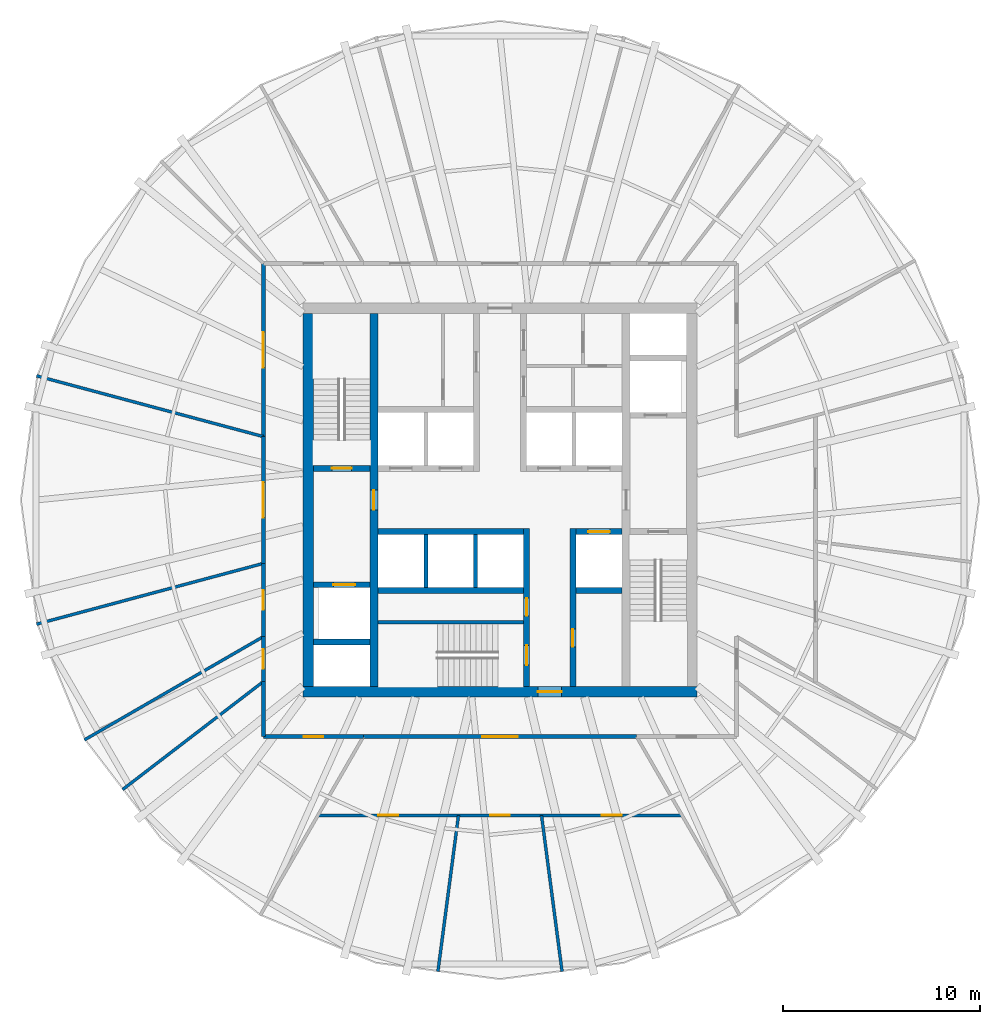
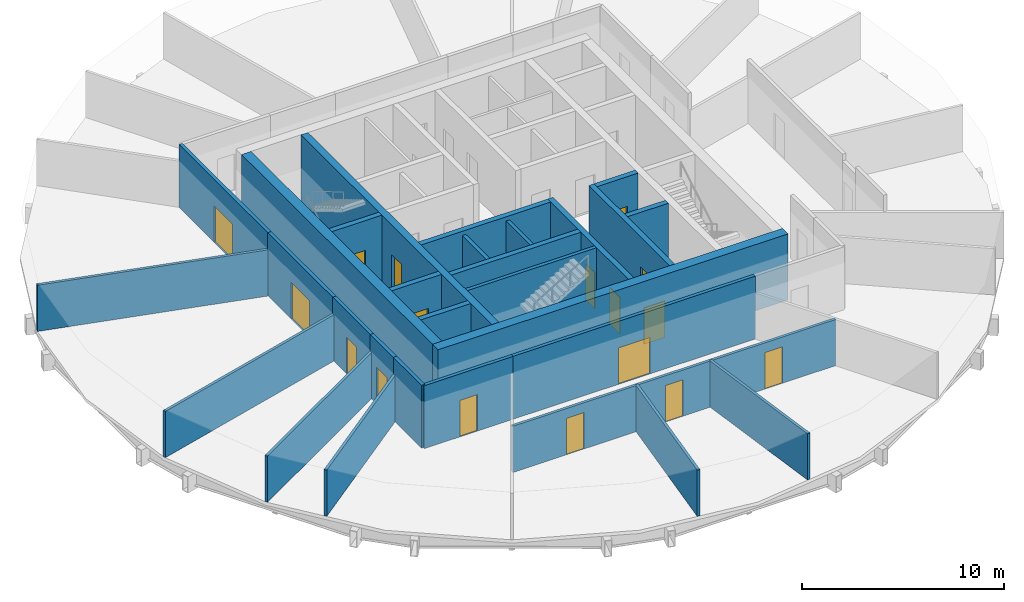
# One storey, part 3 of 6: 29 walls, 17 doors, 17 openings.
"""IFC4 building model written with IfcOpenShell, lengths in metres."""

import ifcopenshell
import ifcopenshell.guid

model = None  # the IFC model being written
_history = None  # IfcOwnerHistory: only IFC2X3 demands one
_inside = {}  # id of a spatial element -> (the spatial element, [elements in it])
_under = {}  # id of a project, library or spatial element -> (it, [spatial elements below it])
_declared = {}  # id of a project -> (the project, [libraries it declares])
_typed = {}  # id of a type object -> (the type object, [elements of that type])
_made_of = {}  # id of a material, layer set ... -> (it, [elements and type objects made of it])


def new_model(schema):
    """Start an empty IFC model of exactly this schema.

    Asked for "IFC4X3", IfcOpenShell would pick the latest addendum, in which some entities
    have other attributes; the version numbers below select the first issue.
    IFC2X3 requires an IfcOwnerHistory on every rooted entity: one is made here for all.
    """
    global model, _history
    if schema == "IFC4X3":
        model = ifcopenshell.file(schema_version=(4, 3, 0, 0))
    else:
        model = ifcopenshell.file(schema=schema)
    _inside.clear()
    _under.clear()
    _declared.clear()
    _typed.clear()
    _made_of.clear()
    _history = None
    if model.schema == "IFC2X3":
        org = make("IfcOrganization", Name="unknown")
        user = make(
            "IfcPersonAndOrganization",
            ThePerson=make("IfcPerson", FamilyName="unknown"),
            TheOrganization=org,
        )
        app = make(
            "IfcApplication",
            ApplicationDeveloper=org,
            Version="unknown",
            ApplicationFullName="unknown",
            ApplicationIdentifier="unknown",
        )
        _history = make(
            "IfcOwnerHistory",
            OwningUser=user,
            OwningApplication=app,
            ChangeAction="ADDED",
            CreationDate=0,
        )
    return model


def make(cls, **values):
    """One entity of the class cls with the attributes given. An attribute that is None is left unset."""
    return model.create_entity(
        cls, **{name: value for name, value in values.items() if value is not None}
    )


def rooted(cls, **values):
    """An entity with a GlobalId (a new one), such as an element, a storey or a relation."""
    return make(cls, GlobalId=ifcopenshell.guid.new(), OwnerHistory=_history, **values)


def si_unit(unit_type, name, prefix=None):
    """IfcSIUnit, for example si_unit("LENGTHUNIT", "METRE", prefix="MILLI")."""
    return make("IfcSIUnit", UnitType=unit_type, Prefix=prefix, Name=name)


def assignment(units):
    """IfcUnitAssignment: the units of a project."""
    return None if units is None else make("IfcUnitAssignment", Units=units)


def point(xyz):
    """IfcCartesianPoint."""
    return None if xyz is None else make("IfcCartesianPoint", Coordinates=xyz)


def direction(xyz):
    """IfcDirection."""
    return None if xyz is None else make("IfcDirection", DirectionRatios=xyz)


def frame(location, z_axis=None, x_axis=None):
    """IfcAxis2Placement3D, a coordinate frame: its origin and axes. An axis left out is left unset."""
    return make(
        "IfcAxis2Placement3D",
        Location=point(location),
        Axis=direction(z_axis),
        RefDirection=direction(x_axis),
    )


def frame_2d(location, x_axis=None):
    """IfcAxis2Placement2D, a coordinate frame in the plane: its origin and x axis."""
    return make(
        "IfcAxis2Placement2D", Location=point(location), RefDirection=direction(x_axis)
    )


def origin():
    """The frame at (0, 0, 0) with its axes left unset."""
    return frame((0.0, 0.0, 0.0))


def place(relative_to, where):
    """IfcLocalPlacement: puts the frame where relative to a parent placement (None: the world)."""
    return make(
        "IfcLocalPlacement", PlacementRelTo=relative_to, RelativePlacement=where
    )


def context(
    kind, dimensions, precision=None, world=None, true_north=None, identifier=None
):
    """IfcGeometricRepresentationContext, for example the 3D "Model" context."""
    return make(
        "IfcGeometricRepresentationContext",
        ContextIdentifier=identifier,
        ContextType=kind,
        CoordinateSpaceDimension=dimensions,
        Precision=precision,
        WorldCoordinateSystem=world,
        TrueNorth=true_north,
    )


def subcontext(parent, identifier, kind, view, scale=None):
    """IfcGeometricRepresentationSubContext, for example "Body" below "Model"."""
    return make(
        "IfcGeometricRepresentationSubContext",
        ContextIdentifier=identifier,
        ContextType=kind,
        ParentContext=parent,
        TargetScale=scale,
        TargetView=view,
    )


def project(units=None, contexts=None):
    """IfcProject with its units and contexts."""
    return rooted(
        "IfcProject",
        Name="project",
        RepresentationContexts=contexts,
        UnitsInContext=assignment(units),
    )


def spatial(cls, under=None, at=None, **own):
    """A site, building, storey or space (cls), placed at a placement, below another one or the project."""
    s = rooted(cls, ObjectPlacement=at, **own)
    if under is not None:
        _under.setdefault(under.id(), (under, []))[1].append(s)
    return s


def profile(cls, at=None, kind="AREA", **sizes):
    """A parametric profile (cls). Its sizes go by their IFC names, for example OverallWidth=200.0."""
    return make(cls, ProfileType=kind, Position=at, **sizes)


def rectangle(**sizes):
    """IfcRectangleProfileDef."""
    return profile("IfcRectangleProfileDef", **sizes)


def extrude(swept, where, along, depth):
    """IfcExtrudedAreaSolid: the profile swept, set in the frame where, extruded along a direction by depth."""
    return make(
        "IfcExtrudedAreaSolid",
        SweptArea=swept,
        Position=where,
        ExtrudedDirection=direction(along),
        Depth=depth,
    )


def shape(context_of_items, identifier, shape_type, items):
    """IfcShapeRepresentation: the items that make up one representation, for example the "Body"."""
    return make(
        "IfcShapeRepresentation",
        ContextOfItems=context_of_items,
        RepresentationIdentifier=identifier,
        RepresentationType=shape_type,
        Items=items,
    )


def material(Name=None, Category=None):
    """IfcMaterial."""
    return make("IfcMaterial", Name=Name, Category=Category)


def layer(
    of_material, thickness, ventilated=None, Name=None, Category=None, Priority=None
):
    """IfcMaterialLayer: one layer of a wall or slab, of a material (None: an air gap)."""
    return make(
        "IfcMaterialLayer",
        Material=of_material,
        LayerThickness=thickness,
        IsVentilated=ventilated,
        Name=Name,
        Category=Category,
        Priority=Priority,
    )


def layer_set(layers, Name=None):
    """IfcMaterialLayerSet."""
    return make("IfcMaterialLayerSet", MaterialLayers=layers, LayerSetName=Name)


def made_of(thing, what):
    """Note that an element or type object is made of a material, layer set ...; save() writes the relation."""
    if what is not None:
        _made_of.setdefault(what.id(), (what, []))[1].append(thing)
    return thing


def type_object(cls, material=None, **own):
    """A type object (cls), such as IfcWallType, which elements share."""
    return made_of(rooted(cls, **own), material)


def element(
    cls,
    number,
    at=None,
    inside=None,
    cuts=None,
    type_object=None,
    material=None,
    context=None,
    identifier="Body",
    shape_type=None,
    held_by="IfcProductDefinitionShape",
    body=None,
    shapes=None,
    **own,
):
    """One element of the class cls, such as IfcWall. Its Tag is "e" and its number.

    at: its placement. inside: the storey or other place that contains it. cuts: it is an
    opening in that element (IfcRelVoidsElement). A single representation is given by context,
    identifier, shape_type and body (its items); several are given by shapes. held_by: the class
    of the entity that holds the representations. save() writes the other relations.
    """
    e = rooted(cls, Tag="e%d" % number, ObjectPlacement=at, **own)
    if body is not None:
        shapes = [shape(context, identifier, shape_type, body)]
    if shapes is not None:
        e.Representation = make(held_by, Representations=shapes)
    if inside is not None:
        _inside.setdefault(inside.id(), (inside, []))[1].append(e)
    if cuts is not None:
        rooted(
            "IfcRelVoidsElement", RelatingBuildingElement=cuts, RelatedOpeningElement=e
        )
    if type_object is not None:
        _typed.setdefault(type_object.id(), (type_object, []))[1].append(e)
    return made_of(e, material)


def fill(opening, filler):
    """IfcRelFillsElement: the door or window that sits in an opening."""
    return rooted(
        "IfcRelFillsElement",
        RelatingOpeningElement=opening,
        RelatedBuildingElement=filler,
    )


def aggregate(whole, parts):
    """IfcRelAggregates: a whole, such as a stair, and the parts it consists of."""
    return rooted("IfcRelAggregates", RelatingObject=whole, RelatedObjects=parts)


def save(model, path):
    """Write the relations noted so far, then the file.

    IfcRelAggregates (storeys below a building ...), IfcRelContainedInSpatialStructure (elements
    in a storey), IfcRelDefinesByType, IfcRelAssociatesMaterial and IfcRelDeclares: one each for
    every whole, place, type object, material and project.
    """
    for whole, parts in _under.values():
        aggregate(whole, parts)
    for where, things in _inside.values():
        rooted(
            "IfcRelContainedInSpatialStructure",
            RelatedElements=things,
            RelatingStructure=where,
        )
    for kind, things in _typed.values():
        rooted("IfcRelDefinesByType", RelatedObjects=things, RelatingType=kind)
    for what, things in _made_of.values():
        rooted("IfcRelAssociatesMaterial", RelatedObjects=things, RelatingMaterial=what)
    for by, libraries in _declared.values():
        rooted("IfcRelDeclares", RelatingContext=by, RelatedDefinitions=libraries)
    model.write(path)


model = new_model("IFC4")

# Units and contexts
model_context = context("Model", 3, precision=1e-05, world=origin(), true_north=direction((0.0, 1.0)))
body_context = subcontext(model_context, "Body", "Model", "MODEL_VIEW")
ifc_project = project(units=[si_unit("LENGTHUNIT", "METRE"), si_unit("AREAUNIT", "SQUARE_METRE"), si_unit("VOLUMEUNIT", "CUBIC_METRE"), si_unit("PLANEANGLEUNIT", "RADIAN"), si_unit("MASSUNIT", "GRAM", prefix="KILO")], contexts=[model_context])

# Site, building, storey
site_placement = place(None, origin())
site = spatial("IfcSite", under=ifc_project, at=site_placement, CompositionType="ELEMENT")
building_placement = place(site_placement, origin())
building = spatial("IfcBuilding", under=site, at=building_placement, Name="Golbaran Civic Tower", CompositionType="ELEMENT")
storey_placement = place(building_placement, frame((0.0, 0.0, 138.0)))
storey = spatial("IfcBuildingStorey", under=building, at=storey_placement, Name="L33", CompositionType="ELEMENT", Elevation=138.0)

# Wall, opening, door
ifc_material_1 = material(Name="Concrete C50/60", Category="concrete")
ifc_layer_1 = layer(ifc_material_1, 0.39990234375, Name="Concrete C50/60")
ifc_layer_set_1 = layer_set([ifc_layer_1], Name="Concrete C50/60")
wall_type_1 = type_object("IfcWallType", Name="CORE WALL CONCRETE 400", PredefinedType="SOLIDWALL", material=ifc_layer_set_1)
wall_1_placement = place(storey_placement, frame((-6.39990234375, -9.449951171875, 0.0), z_axis=(0.0, 0.0, 1.0), x_axis=(0.0, 1.0, 0.0)))
wall_1 = element("IfcWall", 1, at=wall_1_placement, inside=storey, type_object=wall_type_1, Name="Core wall IW L33", PredefinedType="SOLIDWALL", context=body_context, shape_type="SweptSolid", body=[
    extrude(rectangle(XDim=18.89990234375, YDim=0.39990234375, at=frame_2d((9.449951171875, 0.0))), origin(), (0.0, 0.0, 1.0), 4.0),
])
opening_1_placement = place(wall_1_placement, frame((8.949951171875, 0.0, 0.0)))
opening_1 = element("IfcOpeningElement", 2, at=opening_1_placement, cuts=wall_1, Name="Opening L33.FL1", PredefinedType="OPENING", context=body_context, shape_type="SweptSolid", body=[
    extrude(rectangle(XDim=1.0, YDim=2.199951171875, at=frame_2d((0.5, 1.10009765625))), frame((0.0, 0.2099609375, 0.0), z_axis=(0.0, -1.0, 0.0), x_axis=(1.0, 0.0, 0.0)), (0.0, 0.0, 1.0), 0.419921875),
])
ifc_material_2 = material(Name="Timber door set in steel frame", Category="steel")
door_type_1 = type_object("IfcDoorType", Name="STAIR DOOR 1000x2200", OperationType="SINGLE_SWING_LEFT", PredefinedType="DOOR", material=ifc_material_2)
door_1_placement = place(opening_1_placement, origin())
door_1 = element("IfcDoor", 3, at=door_1_placement, inside=storey, type_object=door_type_1, Name="Fire-fighting lobby FL1 door", OperationType="SINGLE_SWING_LEFT", OverallHeight=2.199951171875, OverallWidth=1.0, PredefinedType="DOOR", context=body_context, shape_type="SweptSolid", body=[
    extrude(rectangle(XDim=1.0, YDim=2.199951171875, at=frame_2d((0.5, 1.10009765625))), frame((0.0, 0.02490234375, 0.0), z_axis=(0.0, -1.0, 0.0), x_axis=(1.0, 0.0, 0.0)), (0.0, 0.0, 1.0), 0.050048828125),
])
fill(opening_1, door_1)

ifc_layer_2 = layer(ifc_material_1, 0.550048828125, Name="Concrete C50/60")
ifc_layer_set_2 = layer_set([ifc_layer_2], Name="Concrete C50/60")
wall_type_2 = type_object("IfcWallType", Name="CORE WALL CONCRETE 550", PredefinedType="SOLIDWALL", material=ifc_layer_set_2)
wall_2_placement = place(storey_placement, frame((10.0, -9.72509765625, 0.0), z_axis=(0.0, 0.0, 1.0), x_axis=(-1.0, 0.0, 0.0)))
wall_2 = element("IfcWall", 4, at=wall_2_placement, inside=storey, type_object=wall_type_2, Name="Core wall CS L33", PredefinedType="SOLIDWALL", context=body_context, shape_type="SweptSolid", body=[
    extrude(rectangle(XDim=20.0, YDim=0.550048828125, at=frame_2d((10.0, 0.0))), origin(), (0.0, 0.0, 1.0), 4.0),
])
opening_2_placement = place(wall_2_placement, frame((6.875, 0.0, 0.0)))
opening_2 = element("IfcOpeningElement", 5, at=opening_2_placement, cuts=wall_2, Name="Opening L33.CS", PredefinedType="OPENING", context=body_context, shape_type="SweptSolid", body=[
    extrude(rectangle(XDim=1.199951171875, YDim=2.199951171875, at=frame_2d((0.60009765625, 1.10009765625))), frame((0.0, 0.284912109375, 0.0), z_axis=(0.0, -1.0, 0.0), x_axis=(1.0, 0.0, 0.0)), (0.0, 0.0, 1.0), 0.570068359375),
])
door_type_2 = type_object("IfcDoorType", Name="CORE DOOR 1200x2200", OperationType="DOUBLE_DOOR_SINGLE_SWING", PredefinedType="DOOR", material=ifc_material_2)
door_2_placement = place(opening_2_placement, origin())
door_2 = element("IfcDoor", 6, at=door_2_placement, inside=storey, type_object=door_type_2, Name="Core door south", OperationType="DOUBLE_DOOR_SINGLE_SWING", OverallHeight=2.199951171875, OverallWidth=1.199951171875, PredefinedType="DOOR", context=body_context, shape_type="SweptSolid", body=[
    extrude(rectangle(XDim=1.199951171875, YDim=2.199951171875, at=frame_2d((0.60009765625, 1.10009765625))), frame((0.0, 0.02490234375, 0.0), z_axis=(0.0, -1.0, 0.0), x_axis=(1.0, 0.0, 0.0)), (0.0, 0.0, 1.0), 0.050048828125),
])
fill(opening_2, door_2)

# Wall
wall_3_placement = place(storey_placement, frame((-9.72509765625, 9.449951171875, 0.0), z_axis=(0.0, 0.0, 1.0), x_axis=(0.0, -1.0, 0.0)))
element("IfcWall", 7, at=wall_3_placement, inside=storey, type_object=wall_type_2, Name="Core wall CW L33", PredefinedType="SOLIDWALL", context=body_context, shape_type="SweptSolid", body=[
    extrude(rectangle(XDim=18.89990234375, YDim=0.550048828125, at=frame_2d((9.449951171875, 0.0))), origin(), (0.0, 0.0, 1.0), 4.0),
])

# Wall, opening, door
ifc_material_3 = material(Name="Gypsum board on steel studs, fire-rated", Category="steel")
ifc_layer_3 = layer(ifc_material_3, 0.199951171875, Name="Gypsum board on steel studs, fire-rated")
ifc_layer_set_3 = layer_set([ifc_layer_3], Name="Gypsum board on steel studs, fire-rated")
wall_type_3 = type_object("IfcWallType", Name="CORRIDOR WALL 200", PredefinedType="PARTITIONING", material=ifc_layer_set_3)
wall_4_placement = place(storey_placement, frame((-12.0, 12.0, 0.0), z_axis=(0.0, 0.0, 1.0), x_axis=(0.0, -1.0, 0.0)))
wall_4 = element("IfcWall", 8, at=wall_4_placement, inside=storey, type_object=wall_type_3, Name="Corridor wall L33", PredefinedType="PARTITIONING", context=body_context, shape_type="SweptSolid", body=[
    extrude(rectangle(XDim=8.78466796875, YDim=0.199951171875, at=frame_2d((4.392333984375, 0.0))), origin(), (0.0, 0.0, 1.0), 3.800048828125),
])
opening_3_placement = place(wall_4_placement, frame((3.4921875, 0.0, 0.0)))
opening_3 = element("IfcOpeningElement", 9, at=opening_3_placement, cuts=wall_4, Name="Opening L33.14", PredefinedType="OPENING", context=body_context, shape_type="SweptSolid", body=[
    extrude(rectangle(XDim=1.800048828125, YDim=2.199951171875, at=frame_2d((0.89990234375, 1.10009765625))), frame((0.0, 0.10986328125, 0.0), z_axis=(0.0, -1.0, 0.0), x_axis=(1.0, 0.0, 0.0)), (0.0, 0.0, 1.0), 0.219970703125),
])
door_type_3 = type_object("IfcDoorType", Name="OFFICE DOUBLE DOOR 1800x2200", OperationType="DOUBLE_DOOR_SINGLE_SWING", PredefinedType="DOOR", material=ifc_material_2)
door_3_placement = place(opening_3_placement, origin())
door_3 = element("IfcDoor", 10, at=door_3_placement, inside=storey, type_object=door_type_3, Name="Open Office door L33", OperationType="DOUBLE_DOOR_SINGLE_SWING", OverallHeight=2.199951171875, OverallWidth=1.800048828125, PredefinedType="DOOR", context=body_context, shape_type="SweptSolid", body=[
    extrude(rectangle(XDim=1.800048828125, YDim=2.199951171875, at=frame_2d((0.89990234375, 1.10009765625))), frame((0.0, 0.02490234375, 0.0), z_axis=(0.0, -1.0, 0.0), x_axis=(1.0, 0.0, 0.0)), (0.0, 0.0, 1.0), 0.050048828125),
])
fill(opening_3, door_3)

wall_5_placement = place(storey_placement, frame((-12.0, 3.21533203125, 0.0), z_axis=(0.0, 0.0, 1.0), x_axis=(0.0, -1.0, 0.0)))
wall_5 = element("IfcWall", 11, at=wall_5_placement, inside=storey, type_object=wall_type_3, Name="Corridor wall L33", PredefinedType="PARTITIONING", context=body_context, shape_type="SweptSolid", body=[
    extrude(rectangle(XDim=6.4306640625, YDim=0.199951171875, at=frame_2d((3.21533203125, 0.0))), origin(), (0.0, 0.0, 1.0), 3.800048828125),
])
opening_4_placement = place(wall_5_placement, frame((2.3154296875, 0.0, 0.0)))
opening_4 = element("IfcOpeningElement", 12, at=opening_4_placement, cuts=wall_5, Name="Opening L33.15", PredefinedType="OPENING", context=body_context, shape_type="SweptSolid", body=[
    extrude(rectangle(XDim=1.800048828125, YDim=2.199951171875, at=frame_2d((0.89990234375, 1.10009765625))), frame((0.0, 0.10986328125, 0.0), z_axis=(0.0, -1.0, 0.0), x_axis=(1.0, 0.0, 0.0)), (0.0, 0.0, 1.0), 0.219970703125),
])
door_4_placement = place(opening_4_placement, origin())
door_4 = element("IfcDoor", 13, at=door_4_placement, inside=storey, type_object=door_type_3, Name="Open Office door L33", OperationType="DOUBLE_DOOR_SINGLE_SWING", OverallHeight=2.199951171875, OverallWidth=1.800048828125, PredefinedType="DOOR", context=body_context, shape_type="SweptSolid", body=[
    extrude(rectangle(XDim=1.800048828125, YDim=2.199951171875, at=frame_2d((0.89990234375, 1.10009765625))), frame((0.0, 0.02490234375, 0.0), z_axis=(0.0, -1.0, 0.0), x_axis=(1.0, 0.0, 0.0)), (0.0, 0.0, 1.0), 0.050048828125),
])
fill(opening_4, door_4)

wall_6_placement = place(storey_placement, frame((-12.0, -3.21533203125, 0.0), z_axis=(0.0, 0.0, 1.0), x_axis=(0.0, -1.0, 0.0)))
wall_6 = element("IfcWall", 14, at=wall_6_placement, inside=storey, type_object=wall_type_3, Name="Corridor wall L33", PredefinedType="PARTITIONING", context=body_context, shape_type="SweptSolid", body=[
    extrude(rectangle(XDim=3.712890625, YDim=0.199951171875, at=frame_2d((1.8564453125, 0.0))), origin(), (0.0, 0.0, 1.0), 3.800048828125),
])
opening_5_placement = place(wall_6_placement, frame((1.3564453125, 0.0, 0.0)))
opening_5 = element("IfcOpeningElement", 15, at=opening_5_placement, cuts=wall_6, Name="Opening L33.16", PredefinedType="OPENING", context=body_context, shape_type="SweptSolid", body=[
    extrude(rectangle(XDim=1.0, YDim=2.199951171875, at=frame_2d((0.5, 1.10009765625))), frame((0.0, 0.10986328125, 0.0), z_axis=(0.0, -1.0, 0.0), x_axis=(1.0, 0.0, 0.0)), (0.0, 0.0, 1.0), 0.219970703125),
])
door_type_4 = type_object("IfcDoorType", Name="OFFICE DOOR 1000x2200", OperationType="SINGLE_SWING_LEFT", PredefinedType="DOOR", material=ifc_material_2)
door_5_placement = place(opening_5_placement, origin())
door_5 = element("IfcDoor", 16, at=door_5_placement, inside=storey, type_object=door_type_4, Name="Office door L33", OperationType="SINGLE_SWING_RIGHT", OverallHeight=2.199951171875, OverallWidth=1.0, PredefinedType="DOOR", context=body_context, shape_type="SweptSolid", body=[
    extrude(rectangle(XDim=1.0, YDim=2.199951171875, at=frame_2d((0.5, 1.10009765625))), frame((0.0, 0.02490234375, 0.0), z_axis=(0.0, -1.0, 0.0), x_axis=(1.0, 0.0, 0.0)), (0.0, 0.0, 1.0), 0.050048828125),
])
fill(opening_5, door_5)

wall_7_placement = place(storey_placement, frame((-12.0, -6.92822265625, 0.0), z_axis=(0.0, 0.0, 1.0), x_axis=(0.0, -1.0, 0.0)))
wall_7 = element("IfcWall", 17, at=wall_7_placement, inside=storey, type_object=wall_type_3, Name="Corridor wall L33", PredefinedType="PARTITIONING", context=body_context, shape_type="SweptSolid", body=[
    extrude(rectangle(XDim=2.27978515625, YDim=0.199951171875, at=frame_2d((1.139892578125, 0.0))), origin(), (0.0, 0.0, 1.0), 3.800048828125),
])
opening_6_placement = place(wall_7_placement, frame((0.639892578125, 0.0, 0.0)))
opening_6 = element("IfcOpeningElement", 18, at=opening_6_placement, cuts=wall_7, Name="Opening L33.17", PredefinedType="OPENING", context=body_context, shape_type="SweptSolid", body=[
    extrude(rectangle(XDim=1.0, YDim=2.199951171875, at=frame_2d((0.5, 1.10009765625))), frame((0.0, 0.10986328125, 0.0), z_axis=(0.0, -1.0, 0.0), x_axis=(1.0, 0.0, 0.0)), (0.0, 0.0, 1.0), 0.219970703125),
])
door_6_placement = place(opening_6_placement, origin())
door_6 = element("IfcDoor", 19, at=door_6_placement, inside=storey, type_object=door_type_4, Name="Quiet Room door L33", OperationType="SINGLE_SWING_RIGHT", OverallHeight=2.199951171875, OverallWidth=1.0, PredefinedType="DOOR", context=body_context, shape_type="SweptSolid", body=[
    extrude(rectangle(XDim=1.0, YDim=2.199951171875, at=frame_2d((0.5, 1.10009765625))), frame((0.0, 0.02490234375, 0.0), z_axis=(0.0, -1.0, 0.0), x_axis=(1.0, 0.0, 0.0)), (0.0, 0.0, 1.0), 0.050048828125),
])
fill(opening_6, door_6)

# Wall
wall_8_placement = place(storey_placement, frame((-12.0, -9.2080078125, 0.0), z_axis=(0.0, 0.0, 1.0), x_axis=(0.0, -1.0, 0.0)))
element("IfcWall", 20, at=wall_8_placement, inside=storey, type_object=wall_type_3, Name="Corridor wall L33", PredefinedType="PARTITIONING", context=body_context, shape_type="SweptSolid", body=[
    extrude(rectangle(XDim=2.7919921875, YDim=0.199951171875, at=frame_2d((1.39599609375, 0.0))), origin(), (0.0, 0.0, 1.0), 3.800048828125),
])

# Wall, opening, door
wall_9_placement = place(storey_placement, frame((-12.0, -12.0, 0.0), z_axis=(0.0, 0.0, 1.0), x_axis=(1.0, 0.0, 0.0)))
wall_9 = element("IfcWall", 21, at=wall_9_placement, inside=storey, type_object=wall_type_3, Name="Corridor wall L33", PredefinedType="PARTITIONING", context=body_context, shape_type="SweptSolid", body=[
    extrude(rectangle(XDim=5.07177734375, YDim=0.199951171875, at=frame_2d((2.535888671875, 0.0))), origin(), (0.0, 0.0, 1.0), 3.800048828125),
])
opening_7_placement = place(wall_9_placement, frame((2.035888671875, 0.0, 0.0)))
opening_7 = element("IfcOpeningElement", 22, at=opening_7_placement, cuts=wall_9, Name="Opening L33.18", PredefinedType="OPENING", context=body_context, shape_type="SweptSolid", body=[
    extrude(rectangle(XDim=1.0, YDim=2.199951171875, at=frame_2d((0.5, 1.10009765625))), frame((0.0, 0.10986328125, 0.0), z_axis=(0.0, -1.0, 0.0), x_axis=(1.0, 0.0, 0.0)), (0.0, 0.0, 1.0), 0.219970703125),
])
door_7_placement = place(opening_7_placement, origin())
door_7 = element("IfcDoor", 23, at=door_7_placement, inside=storey, type_object=door_type_4, Name="File Room door L33", OperationType="SINGLE_SWING_LEFT", OverallHeight=2.199951171875, OverallWidth=1.0, PredefinedType="DOOR", context=body_context, shape_type="SweptSolid", body=[
    extrude(rectangle(XDim=1.0, YDim=2.199951171875, at=frame_2d((0.5, 1.10009765625))), frame((0.0, 0.02490234375, 0.0), z_axis=(0.0, -1.0, 0.0), x_axis=(1.0, 0.0, 0.0)), (0.0, 0.0, 1.0), 0.050048828125),
])
fill(opening_7, door_7)

wall_10_placement = place(storey_placement, frame((-6.92822265625, -12.0, 0.0), z_axis=(0.0, 0.0, 1.0), x_axis=(1.0, 0.0, 0.0)))
wall_10 = element("IfcWall", 24, at=wall_10_placement, inside=storey, type_object=wall_type_3, Name="Corridor wall L33", PredefinedType="PARTITIONING", context=body_context, shape_type="SweptSolid", body=[
    extrude(rectangle(XDim=13.8564453125, YDim=0.199951171875, at=frame_2d((6.92822265625, 0.0))), origin(), (0.0, 0.0, 1.0), 3.800048828125),
])
opening_8_placement = place(wall_10_placement, frame((6.0283203125, 0.0, 0.0)))
opening_8 = element("IfcOpeningElement", 25, at=opening_8_placement, cuts=wall_10, Name="Opening L33.19", PredefinedType="OPENING", context=body_context, shape_type="SweptSolid", body=[
    extrude(rectangle(XDim=1.800048828125, YDim=2.199951171875, at=frame_2d((0.89990234375, 1.10009765625))), frame((0.0, 0.10986328125, 0.0), z_axis=(0.0, -1.0, 0.0), x_axis=(1.0, 0.0, 0.0)), (0.0, 0.0, 1.0), 0.219970703125),
])
door_8_placement = place(opening_8_placement, origin())
door_8 = element("IfcDoor", 26, at=door_8_placement, inside=storey, type_object=door_type_3, Name="Secretariat door L33", OperationType="DOUBLE_DOOR_SINGLE_SWING", OverallHeight=2.199951171875, OverallWidth=1.800048828125, PredefinedType="DOOR", context=body_context, shape_type="SweptSolid", body=[
    extrude(rectangle(XDim=1.800048828125, YDim=2.199951171875, at=frame_2d((0.89990234375, 1.10009765625))), frame((0.0, 0.02490234375, 0.0), z_axis=(0.0, -1.0, 0.0), x_axis=(1.0, 0.0, 0.0)), (0.0, 0.0, 1.0), 0.050048828125),
])
fill(opening_8, door_8)

# Walls
ifc_material_4 = material(Name="Concrete block", Category="concrete")
ifc_layer_4 = layer(ifc_material_4, 0.199951171875, Name="Concrete block")
ifc_layer_set_4 = layer_set([ifc_layer_4], Name="Concrete block")
wall_type_4 = type_object("IfcWallType", Name="LIFT SEPARATOR WALL 200", PredefinedType="SOLIDWALL", material=ifc_layer_set_4)
for number, where, z_axis, x_axis, name in (
    (27, (-3.75, -1.75, 0.0), (0.0, 0.0, 1.0), (0.0, -1.0, 0.0), "Core partition SSW L33"),
    (28, (-1.25, -1.75, 0.0), (0.0, 0.0, 1.0), (0.0, -1.0, 0.0), "Core partition SSM L33"),
):
    element("IfcWall", number, at=place(storey_placement, frame(where, z_axis=z_axis, x_axis=x_axis)), inside=storey, type_object=wall_type_4, Name=name, PredefinedType="SOLIDWALL", context=body_context, shape_type="SweptSolid", body=[
        extrude(rectangle(XDim=2.699951171875, YDim=0.199951171875, at=frame_2d((1.35009765625, 0.0))), origin(), (0.0, 0.0, 1.0), 3.75),
    ])
ifc_material_5 = material(Name="Gypsum board on steel studs", Category="steel")
ifc_layer_5 = layer(ifc_material_5, 0.14990234375, Name="Gypsum board on steel studs")
ifc_layer_set_5 = layer_set([ifc_layer_5], Name="Gypsum board on steel studs")
wall_type_5 = type_object("IfcWallType", Name="OFFICE PARTITION 150", PredefinedType="PARTITIONING", material=ifc_layer_set_5)
for number, where, z_axis, x_axis, name in (
    (29, (-12.0, 3.21533203125, 0.0), (0.0, 0.0, 1.0), (-0.965926367889, 0.258817023816, 0.0), "Partition 165 L33"),
    (30, (-12.0, -3.21533203125, 0.0), (0.0, 0.0, 1.0), (-0.965926367889, -0.258817023816, 0.0), "Partition 195 L33"),
):
    element("IfcWall", number, at=place(storey_placement, frame(where, z_axis=z_axis, x_axis=x_axis)), inside=storey, type_object=wall_type_5, Name=name, PredefinedType="PARTITIONING", context=body_context, shape_type="SweptSolid", body=[
        extrude(rectangle(XDim=11.910888671875, YDim=0.14990234375, at=frame_2d((5.95556640625, 0.0))), origin(), (0.0, 0.0, 1.0), 2.7900390625),
    ])
wall_11_placement = place(storey_placement, frame((-12.0, -6.92822265625, 0.0), z_axis=(0.0, 0.0, 1.0), x_axis=(-0.866029212144, -0.49999340367, 0.0)))
element("IfcWall", 31, at=wall_11_placement, inside=storey, type_object=wall_type_5, Name="Partition 210 L33", PredefinedType="PARTITIONING", context=body_context, shape_type="SweptSolid", body=[
    extrude(rectangle(XDim=10.477783203125, YDim=0.14990234375, at=frame_2d((5.23876953125, 0.0))), origin(), (0.0, 0.0, 1.0), 2.7900390625),
])
wall_12_placement = place(storey_placement, frame((-12.0, -9.2080078125, 0.0), z_axis=(0.0, 0.0, 1.0), x_axis=(-0.79335350297, -0.608761217002, 0.0)))
element("IfcWall", 32, at=wall_12_placement, inside=storey, type_object=wall_type_5, Name="Partition 217.5 L33", PredefinedType="PARTITIONING", context=body_context, shape_type="SweptSolid", body=[
    extrude(rectangle(XDim=9.000244140625, YDim=0.14990234375, at=frame_2d((4.5, 0.0))), origin(), (0.0, 0.0, 1.0), 2.7900390625),
])

# Wall, openings, doors
wall_13_placement = place(storey_placement, frame((-9.237548828125, -16.0, 0.0), z_axis=(0.0, 0.0, 1.0), x_axis=(1.0, 0.0, 0.0)))
wall_13 = element("IfcWall", 33, at=wall_13_placement, inside=storey, type_object=wall_type_5, Name="Suite partition L33", PredefinedType="PARTITIONING", context=body_context, shape_type="SweptSolid", body=[
    extrude(rectangle(XDim=18.47509765625, YDim=0.14990234375, at=frame_2d((9.237548828125, 0.0))), origin(), (0.0, 0.0, 1.0), 2.7900390625),
])
opening_9_placement = place(wall_13_placement, frame((3.065673828125, 0.0, 0.0)))
opening_9 = element("IfcOpeningElement", 34, at=opening_9_placement, cuts=wall_13, Name="Opening L33.03", PredefinedType="OPENING", context=body_context, shape_type="SweptSolid", body=[
    extrude(rectangle(XDim=1.0, YDim=2.199951171875, at=frame_2d((0.5, 1.10009765625))), frame((0.0, 0.0849609375, 0.0), z_axis=(0.0, -1.0, 0.0), x_axis=(1.0, 0.0, 0.0)), (0.0, 0.0, 1.0), 0.169921875),
])
opening_10_placement = place(wall_13_placement, frame((8.737548828125, 0.0, 0.0)))
opening_10 = element("IfcOpeningElement", 35, at=opening_10_placement, cuts=wall_13, Name="Opening L33.04", PredefinedType="OPENING", context=body_context, shape_type="SweptSolid", body=[
    extrude(rectangle(XDim=1.0, YDim=2.199951171875, at=frame_2d((0.5, 1.10009765625))), frame((0.0, 0.0849609375, 0.0), z_axis=(0.0, -1.0, 0.0), x_axis=(1.0, 0.0, 0.0)), (0.0, 0.0, 1.0), 0.169921875),
])
opening_11_placement = place(wall_13_placement, frame((14.40966796875, 0.0, 0.0)))
opening_11 = element("IfcOpeningElement", 36, at=opening_11_placement, cuts=wall_13, Name="Opening L33.05", PredefinedType="OPENING", context=body_context, shape_type="SweptSolid", body=[
    extrude(rectangle(XDim=1.0, YDim=2.199951171875, at=frame_2d((0.5, 1.10009765625))), frame((0.0, 0.0849609375, 0.0), z_axis=(0.0, -1.0, 0.0), x_axis=(1.0, 0.0, 0.0)), (0.0, 0.0, 1.0), 0.169921875),
])
door_9_placement = place(opening_9_placement, origin())
door_9 = element("IfcDoor", 37, at=door_9_placement, inside=storey, type_object=door_type_4, Name="Office door L33", OperationType="SINGLE_SWING_LEFT", OverallHeight=2.199951171875, OverallWidth=1.0, PredefinedType="DOOR", context=body_context, shape_type="SweptSolid", body=[
    extrude(rectangle(XDim=1.0, YDim=2.199951171875, at=frame_2d((0.5, 1.10009765625))), frame((0.0, 0.02490234375, 0.0), z_axis=(0.0, -1.0, 0.0), x_axis=(1.0, 0.0, 0.0)), (0.0, 0.0, 1.0), 0.050048828125),
])
fill(opening_9, door_9)
door_10_placement = place(opening_10_placement, origin())
door_10 = element("IfcDoor", 38, at=door_10_placement, inside=storey, type_object=door_type_4, Name="Director's Office door L33", OperationType="SINGLE_SWING_LEFT", OverallHeight=2.199951171875, OverallWidth=1.0, PredefinedType="DOOR", context=body_context, shape_type="SweptSolid", body=[
    extrude(rectangle(XDim=1.0, YDim=2.199951171875, at=frame_2d((0.5, 1.10009765625))), frame((0.0, 0.02490234375, 0.0), z_axis=(0.0, -1.0, 0.0), x_axis=(1.0, 0.0, 0.0)), (0.0, 0.0, 1.0), 0.050048828125),
])
fill(opening_10, door_10)
door_11_placement = place(opening_11_placement, origin())
door_11 = element("IfcDoor", 39, at=door_11_placement, inside=storey, type_object=door_type_4, Name="Office door L33", OperationType="SINGLE_SWING_RIGHT", OverallHeight=2.199951171875, OverallWidth=1.0, PredefinedType="DOOR", context=body_context, shape_type="SweptSolid", body=[
    extrude(rectangle(XDim=1.0, YDim=2.199951171875, at=frame_2d((0.5, 1.10009765625))), frame((0.0, 0.02490234375, 0.0), z_axis=(0.0, -1.0, 0.0), x_axis=(1.0, 0.0, 0.0)), (0.0, 0.0, 1.0), 0.050048828125),
])
fill(opening_11, door_11)

# Walls
for number, where, z_axis, x_axis, name in (
    (40, (-2.1064453125, -16.0, 0.0), (0.0, 0.0, 1.0), (-0.13053594497, -0.991443577351, 0.0), "Partition 262.5 L33"),
    (41, (2.1064453125, -16.0, 0.0), (0.0, 0.0, 1.0), (0.13053594497, -0.991443577351, 0.0), "Partition 277.5 L33"),
):
    element("IfcWall", number, at=place(storey_placement, frame(where, z_axis=z_axis, x_axis=x_axis)), inside=storey, type_object=wall_type_5, Name=name, PredefinedType="PARTITIONING", context=body_context, shape_type="SweptSolid", body=[
        extrude(rectangle(XDim=7.988037109375, YDim=0.14990234375, at=frame_2d((3.994140625, 0.0))), origin(), (0.0, 0.0, 1.0), 2.7900390625),
    ])
ifc_layer_6 = layer(ifc_material_1, 0.199951171875, Name="Concrete C50/60")
ifc_layer_set_6 = layer_set([ifc_layer_6], Name="Concrete C50/60")
wall_type_6 = type_object("IfcWallType", Name="SHAFT WALL CONCRETE 200", PredefinedType="SOLIDWALL", material=ifc_layer_set_6)
wall_14_placement = place(storey_placement, frame((-6.199951171875, -6.199951171875, 0.0), z_axis=(0.0, 0.0, 1.0), x_axis=(1.0, 0.0, 0.0)))
element("IfcWall", 42, at=wall_14_placement, inside=storey, type_object=wall_type_6, Name="Core wall S3N L33", PredefinedType="SOLIDWALL", context=body_context, shape_type="SweptSolid", body=[
    extrude(rectangle(XDim=7.39990234375, YDim=0.199951171875, at=frame_2d((3.699951171875, 0.0))), origin(), (0.0, 0.0, 1.0), 4.0),
])
ifc_layer_7 = layer(ifc_material_1, 0.300048828125, Name="Concrete C50/60")
ifc_layer_set_7 = layer_set([ifc_layer_7], Name="Concrete C50/60")
wall_type_7 = type_object("IfcWallType", Name="SHAFT WALL CONCRETE 300", PredefinedType="SOLIDWALL", material=ifc_layer_set_7)
wall_15_placement = place(storey_placement, frame((-6.199951171875, -1.60009765625, 0.0), z_axis=(0.0, 0.0, 1.0), x_axis=(1.0, 0.0, 0.0)))
element("IfcWall", 43, at=wall_15_placement, inside=storey, type_object=wall_type_7, Name="Core wall FSW L33", PredefinedType="SOLIDWALL", context=body_context, shape_type="SweptSolid", body=[
    extrude(rectangle(XDim=7.39990234375, YDim=0.300048828125, at=frame_2d((3.699951171875, 0.0))), origin(), (0.0, 0.0, 1.0), 4.0),
])

# Wall, opening, door
wall_16_placement = place(storey_placement, frame((3.85009765625, -1.60009765625, 0.0), z_axis=(0.0, 0.0, 1.0), x_axis=(1.0, 0.0, 0.0)))
wall_16 = element("IfcWall", 44, at=wall_16_placement, inside=storey, type_object=wall_type_7, Name="Core wall FSE L33", PredefinedType="SOLIDWALL", context=body_context, shape_type="SweptSolid", body=[
    extrude(rectangle(XDim=2.349853515625, YDim=0.300048828125, at=frame_2d((1.1748046875, 0.0))), origin(), (0.0, 0.0, 1.0), 4.0),
])
opening_12_placement = place(wall_16_placement, frame((0.625, 0.0, 0.0)))
opening_12 = element("IfcOpeningElement", 45, at=opening_12_placement, cuts=wall_16, Name="Opening L33.LD-V1", PredefinedType="OPENING", context=body_context, shape_type="SweptSolid", body=[
    extrude(rectangle(XDim=1.10009765625, YDim=2.199951171875, at=frame_2d((0.550048828125, 1.10009765625))), frame((0.0, 0.159912109375, 0.0), z_axis=(0.0, -1.0, 0.0), x_axis=(1.0, 0.0, 0.0)), (0.0, 0.0, 1.0), 0.320068359375),
])
ifc_material_6 = material(Name="Stainless steel", Category="steel")
door_type_5 = type_object("IfcDoorType", Name="LIFT LANDING DOOR 1100x2200", OperationType="SLIDING_TO_LEFT", PredefinedType="DOOR", material=ifc_material_6)
door_12_placement = place(opening_12_placement, origin())
door_12 = element("IfcDoor", 46, at=door_12_placement, inside=storey, type_object=door_type_5, Name="Lift landing door V1", OperationType="SLIDING_TO_LEFT", OverallHeight=2.199951171875, OverallWidth=1.10009765625, PredefinedType="DOOR", context=body_context, shape_type="SweptSolid", body=[
    extrude(rectangle(XDim=1.10009765625, YDim=2.199951171875, at=frame_2d((0.550048828125, 1.10009765625))), frame((0.0, 0.02490234375, 0.0), z_axis=(0.0, -1.0, 0.0), x_axis=(1.0, 0.0, 0.0)), (0.0, 0.0, 1.0), 0.050048828125),
])
fill(opening_12, door_12)

# Walls
wall_17_placement = place(storey_placement, frame((-6.199951171875, -4.60009765625, 0.0), z_axis=(0.0, 0.0, 1.0), x_axis=(1.0, 0.0, 0.0)))
element("IfcWall", 47, at=wall_17_placement, inside=storey, type_object=wall_type_7, Name="Core wall BSW L33", PredefinedType="SOLIDWALL", context=body_context, shape_type="SweptSolid", body=[
    extrude(rectangle(XDim=7.39990234375, YDim=0.300048828125, at=frame_2d((3.699951171875, 0.0))), origin(), (0.0, 0.0, 1.0), 4.0),
])
wall_18_placement = place(storey_placement, frame((3.85009765625, -4.60009765625, 0.0), z_axis=(0.0, 0.0, 1.0), x_axis=(1.0, 0.0, 0.0)))
element("IfcWall", 48, at=wall_18_placement, inside=storey, type_object=wall_type_7, Name="Core wall BSE L33", PredefinedType="SOLIDWALL", context=body_context, shape_type="SweptSolid", body=[
    extrude(rectangle(XDim=2.349853515625, YDim=0.300048828125, at=frame_2d((1.1748046875, 0.0))), origin(), (0.0, 0.0, 1.0), 4.0),
])

# Wall, openings, doors
wall_19_placement = place(storey_placement, frame((1.35009765625, -1.449951171875, 0.0), z_axis=(0.0, 0.0, 1.0), x_axis=(0.0, -1.0, 0.0)))
wall_19 = element("IfcWall", 49, at=wall_19_placement, inside=storey, type_object=wall_type_7, Name="Core wall PSW L33", PredefinedType="SOLIDWALL", context=body_context, shape_type="SweptSolid", body=[
    extrude(rectangle(XDim=8.0, YDim=0.300048828125, at=frame_2d((4.0, 0.0))), origin(), (0.0, 0.0, 1.0), 4.0),
])
opening_13_placement = place(wall_19_placement, frame((5.925048828125, 0.0, 0.0)))
opening_13 = element("IfcOpeningElement", 50, at=opening_13_placement, cuts=wall_19, Name="Opening L33.S3", PredefinedType="OPENING", context=body_context, shape_type="SweptSolid", body=[
    extrude(rectangle(XDim=1.0, YDim=2.199951171875, at=frame_2d((0.5, 1.10009765625))), frame((0.0, 0.159912109375, 0.0), z_axis=(0.0, -1.0, 0.0), x_axis=(1.0, 0.0, 0.0)), (0.0, 0.0, 1.0), 0.320068359375),
])
opening_14_placement = place(wall_19_placement, frame((3.52490234375, 0.0, 0.0)))
opening_14 = element("IfcOpeningElement", 51, at=opening_14_placement, cuts=wall_19, Name="Opening L33.RE", PredefinedType="OPENING", context=body_context, shape_type="SweptSolid", body=[
    extrude(rectangle(XDim=0.89990234375, YDim=2.199951171875, at=frame_2d((0.449951171875, 1.10009765625))), frame((0.0, 0.159912109375, 0.0), z_axis=(0.0, -1.0, 0.0), x_axis=(1.0, 0.0, 0.0)), (0.0, 0.0, 1.0), 0.320068359375),
])
door_type_6 = type_object("IfcDoorType", Name="RISER DOOR 900x2200", OperationType="SINGLE_SWING_LEFT", PredefinedType="DOOR", material=ifc_material_2)
door_13_placement = place(opening_14_placement, origin())
door_13 = element("IfcDoor", 52, at=door_13_placement, inside=storey, type_object=door_type_6, Name="Electrical riser door", OperationType="SINGLE_SWING_LEFT", OverallHeight=2.199951171875, OverallWidth=0.89990234375, PredefinedType="DOOR", context=body_context, shape_type="SweptSolid", body=[
    extrude(rectangle(XDim=0.89990234375, YDim=2.199951171875, at=frame_2d((0.449951171875, 1.10009765625))), frame((0.0, 0.02490234375, 0.0), z_axis=(0.0, -1.0, 0.0), x_axis=(1.0, 0.0, 0.0)), (0.0, 0.0, 1.0), 0.050048828125),
])
fill(opening_14, door_13)
door_14_placement = place(opening_13_placement, origin())
door_14 = element("IfcDoor", 53, at=door_14_placement, inside=storey, type_object=door_type_1, Name="Stair S3 door", OperationType="SINGLE_SWING_RIGHT", OverallHeight=2.199951171875, OverallWidth=1.0, PredefinedType="DOOR", context=body_context, shape_type="SweptSolid", body=[
    extrude(rectangle(XDim=1.0, YDim=2.199951171875, at=frame_2d((0.5, 1.10009765625))), frame((0.0, 0.02490234375, 0.0), z_axis=(0.0, -1.0, 0.0), x_axis=(1.0, 0.0, 0.0)), (0.0, 0.0, 1.0), 0.050048828125),
])
fill(opening_13, door_14)

# Wall, opening, door
wall_20_placement = place(storey_placement, frame((3.699951171875, -1.449951171875, 0.0), z_axis=(0.0, 0.0, 1.0), x_axis=(0.0, -1.0, 0.0)))
wall_20 = element("IfcWall", 54, at=wall_20_placement, inside=storey, type_object=wall_type_7, Name="Core wall PSE L33", PredefinedType="SOLIDWALL", context=body_context, shape_type="SweptSolid", body=[
    extrude(rectangle(XDim=8.0, YDim=0.300048828125, at=frame_2d((4.0, 0.0))), origin(), (0.0, 0.0, 1.0), 4.0),
])
opening_15_placement = place(wall_20_placement, frame((5.10009765625, 0.0, 0.0)))
opening_15 = element("IfcOpeningElement", 55, at=opening_15_placement, cuts=wall_20, Name="Opening L33.RM", PredefinedType="OPENING", context=body_context, shape_type="SweptSolid", body=[
    extrude(rectangle(XDim=0.89990234375, YDim=2.199951171875, at=frame_2d((0.449951171875, 1.10009765625))), frame((0.0, 0.159912109375, 0.0), z_axis=(0.0, -1.0, 0.0), x_axis=(1.0, 0.0, 0.0)), (0.0, 0.0, 1.0), 0.320068359375),
])
door_15_placement = place(opening_15_placement, origin())
door_15 = element("IfcDoor", 56, at=door_15_placement, inside=storey, type_object=door_type_6, Name="Mechanical riser door", OperationType="SINGLE_SWING_RIGHT", OverallHeight=2.199951171875, OverallWidth=0.89990234375, PredefinedType="DOOR", context=body_context, shape_type="SweptSolid", body=[
    extrude(rectangle(XDim=0.89990234375, YDim=2.199951171875, at=frame_2d((0.449951171875, 1.10009765625))), frame((0.0, 0.02490234375, 0.0), z_axis=(0.0, -1.0, 0.0), x_axis=(1.0, 0.0, 0.0)), (0.0, 0.0, 1.0), 0.050048828125),
])
fill(opening_15, door_15)

wall_21_placement = place(storey_placement, frame((-9.449951171875, 1.60009765625, 0.0), z_axis=(0.0, 0.0, 1.0), x_axis=(1.0, 0.0, 0.0)))
wall_21 = element("IfcWall", 57, at=wall_21_placement, inside=storey, type_object=wall_type_7, Name="Core wall XW1 L33", PredefinedType="SOLIDWALL", context=body_context, shape_type="SweptSolid", body=[
    extrude(rectangle(XDim=2.849853515625, YDim=0.300048828125, at=frame_2d((1.4248046875, 0.0))), origin(), (0.0, 0.0, 1.0), 4.0),
])
opening_16_placement = place(wall_21_placement, frame((0.925048828125, 0.0, 0.0)))
opening_16 = element("IfcOpeningElement", 58, at=opening_16_placement, cuts=wall_21, Name="Opening L33.S1", PredefinedType="OPENING", context=body_context, shape_type="SweptSolid", body=[
    extrude(rectangle(XDim=1.0, YDim=2.199951171875, at=frame_2d((0.5, 1.10009765625))), frame((0.0, 0.159912109375, 0.0), z_axis=(0.0, -1.0, 0.0), x_axis=(1.0, 0.0, 0.0)), (0.0, 0.0, 1.0), 0.320068359375),
])
door_16_placement = place(opening_16_placement, origin())
door_16 = element("IfcDoor", 59, at=door_16_placement, inside=storey, type_object=door_type_1, Name="Stair S1 door", OperationType="SINGLE_SWING_LEFT", OverallHeight=2.199951171875, OverallWidth=1.0, PredefinedType="DOOR", context=body_context, shape_type="SweptSolid", body=[
    extrude(rectangle(XDim=1.0, YDim=2.199951171875, at=frame_2d((0.5, 1.10009765625))), frame((0.0, 0.02490234375, 0.0), z_axis=(0.0, -1.0, 0.0), x_axis=(1.0, 0.0, 0.0)), (0.0, 0.0, 1.0), 0.050048828125),
])
fill(opening_16, door_16)

wall_22_placement = place(storey_placement, frame((-9.449951171875, -4.300048828125, 0.0), z_axis=(0.0, 0.0, 1.0), x_axis=(1.0, 0.0, 0.0)))
wall_22 = element("IfcWall", 60, at=wall_22_placement, inside=storey, type_object=wall_type_7, Name="Core wall XW2 L33", PredefinedType="SOLIDWALL", context=body_context, shape_type="SweptSolid", body=[
    extrude(rectangle(XDim=2.849853515625, YDim=0.300048828125, at=frame_2d((1.4248046875, 0.0))), origin(), (0.0, 0.0, 1.0), 4.0),
])
opening_17_placement = place(wall_22_placement, frame((1.0, 0.0, 0.0)))
opening_17 = element("IfcOpeningElement", 61, at=opening_17_placement, cuts=wall_22, Name="Opening L33.LD-F1", PredefinedType="OPENING", context=body_context, shape_type="SweptSolid", body=[
    extrude(rectangle(XDim=1.10009765625, YDim=2.199951171875, at=frame_2d((0.550048828125, 1.10009765625))), frame((0.0, 0.159912109375, 0.0), z_axis=(0.0, -1.0, 0.0), x_axis=(1.0, 0.0, 0.0)), (0.0, 0.0, 1.0), 0.320068359375),
])
door_17_placement = place(opening_17_placement, origin())
door_17 = element("IfcDoor", 62, at=door_17_placement, inside=storey, type_object=door_type_5, Name="Lift landing door F1", OperationType="SLIDING_TO_LEFT", OverallHeight=2.199951171875, OverallWidth=1.10009765625, PredefinedType="DOOR", context=body_context, shape_type="SweptSolid", body=[
    extrude(rectangle(XDim=1.10009765625, YDim=2.199951171875, at=frame_2d((0.550048828125, 1.10009765625))), frame((0.0, 0.02490234375, 0.0), z_axis=(0.0, -1.0, 0.0), x_axis=(1.0, 0.0, 0.0)), (0.0, 0.0, 1.0), 0.050048828125),
])
fill(opening_17, door_17)

# Wall
wall_23_placement = place(storey_placement, frame((-9.449951171875, -7.199951171875, 0.0), z_axis=(0.0, 0.0, 1.0), x_axis=(1.0, 0.0, 0.0)))
element("IfcWall", 63, at=wall_23_placement, inside=storey, type_object=wall_type_7, Name="Core wall XW3 L33", PredefinedType="SOLIDWALL", context=body_context, shape_type="SweptSolid", body=[
    extrude(rectangle(XDim=2.849853515625, YDim=0.300048828125, at=frame_2d((1.4248046875, 0.0))), origin(), (0.0, 0.0, 1.0), 4.0),
])

save(model, "model.ifc")
